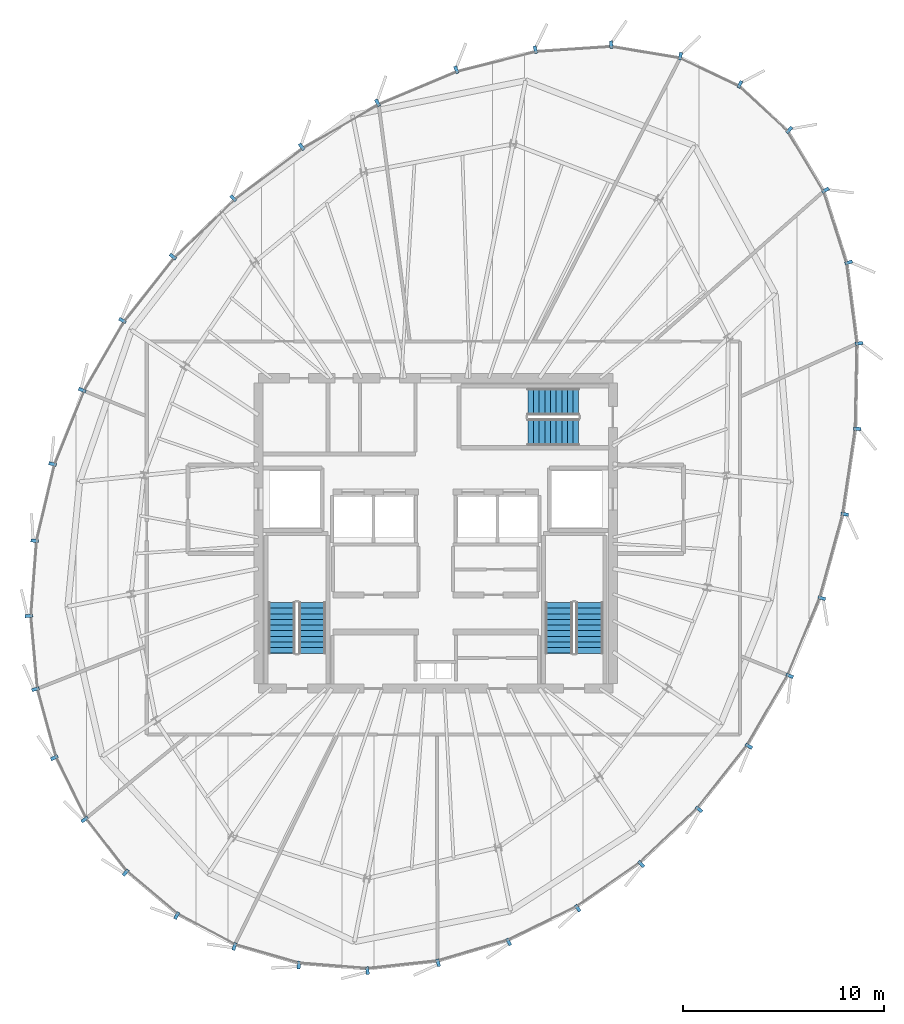
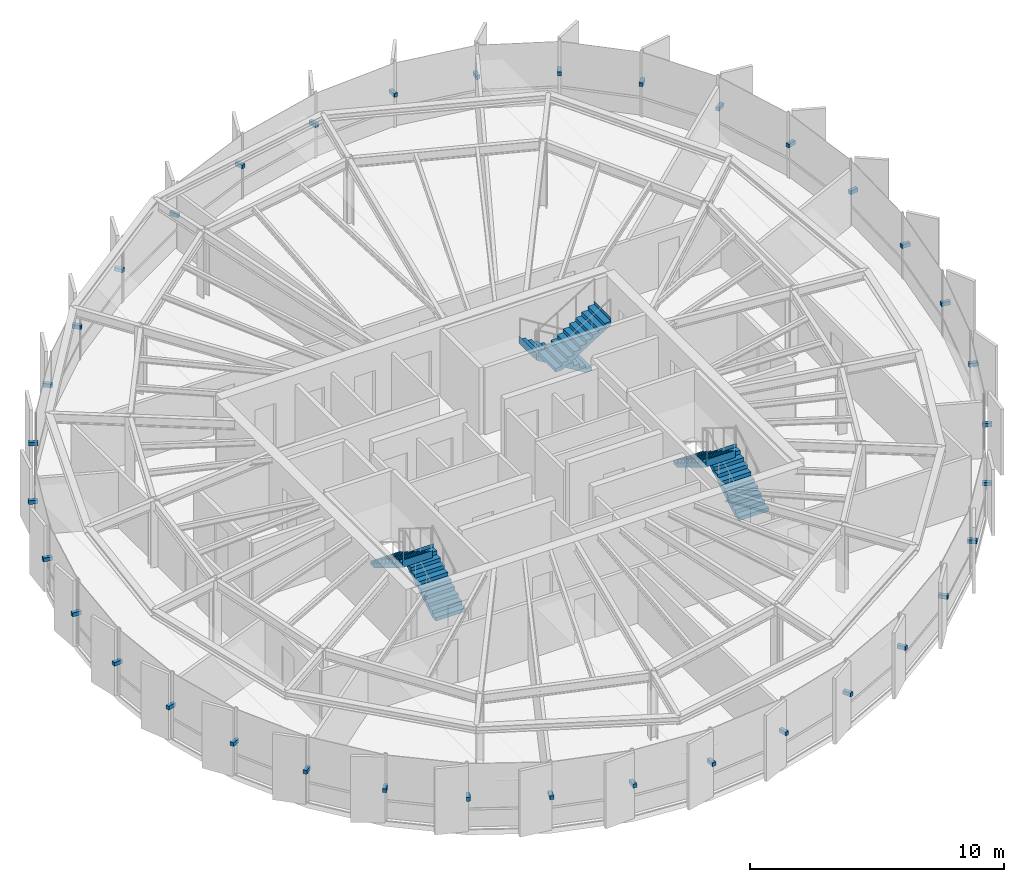
# One storey, part 30 of 34: 36 discrete accessories, 6 stair flights, 3 elements without a shape of their own.
"""IFC4 building model written with IfcOpenShell, lengths in metres."""

from ifc_helpers import new_model, si_unit, direction, frame, origin, origin_2d, place, context, subcontext, project, spatial, polyline, rectangle, outline, extrude, source, transform, mapped, material, type_object, element, aggregate, save


model = new_model("IFC4")

# Units and contexts
model_context = context("Model", 3, precision=1e-05, world=origin(), true_north=direction((0.0, 1.0)))
body_context = subcontext(model_context, "Body", "Model", "MODEL_VIEW")
ifc_project = project(units=[si_unit("LENGTHUNIT", "METRE"), si_unit("AREAUNIT", "SQUARE_METRE"), si_unit("VOLUMEUNIT", "CUBIC_METRE"), si_unit("PLANEANGLEUNIT", "RADIAN"), si_unit("MASSUNIT", "GRAM", prefix="KILO"), si_unit("THERMODYNAMICTEMPERATUREUNIT", "KELVIN")], contexts=[model_context])

# Site, building, storey
site_placement = place(None, origin())
site = spatial("IfcSite", under=ifc_project, at=site_placement, CompositionType="ELEMENT")
building_placement = place(site_placement, origin())
building = spatial("IfcBuilding", under=site, at=building_placement, Name="Kethvar Cultural Tower", CompositionType="ELEMENT")
storey_placement = place(building_placement, frame((0.0, 0.0, 259.449951171875)))
storey = spatial("IfcBuildingStorey", under=building, at=storey_placement, Name="L68", CompositionType="ELEMENT", Elevation=259.449951171875)

# Stair, stair flights
ifc_material_1 = material(Name="Concrete C40/50", Category="concrete")
stair_type = type_object("IfcStairType", Name="ST-DOGLEG-135", PredefinedType="HALF_TURN_STAIR", material=ifc_material_1)
stair_1_placement = place(storey_placement, origin())
stair_1 = element("IfcStair", 1, at=stair_1_placement, inside=storey, type_object=stair_type, Name="L68 Core Exit Stair 1", PredefinedType="HALF_TURN_STAIR")
stair_flight_type = type_object("IfcStairFlightType", Name="FL-STRAIGHT-135", PredefinedType="STRAIGHT", material=ifc_material_1)
stair_flight_1_placement = place(storey_placement, frame((40.675048828125, 21.85009765625, 0.0), z_axis=(0.0, 0.0, 1.0), x_axis=(0.0, 1.0, 0.0)))
stair_flight_1 = element("IfcStairFlight", 2, at=stair_flight_1_placement, type_object=stair_flight_type, Name="ST-01 flight 1", NumberOfRisers=10, NumberOfTreads=9, PredefinedType="STRAIGHT", RiserHeight=0.1725, TreadLength=0.28, context=body_context, shape_type="SweptSolid", body=[
    extrude(outline(polyline([(-0.0009765625, -0.0009765625), (-0.0009765625, 0.172607421875), (0.280029296875, 0.172607421875), (0.280029296875, 0.344970703125), (0.56005859375, 0.344970703125), (0.56005859375, 0.517578125), (0.840087890625, 0.517578125), (0.840087890625, 0.68994140625), (1.1201171875, 0.68994140625), (1.1201171875, 0.862548828125), (1.39990234375, 0.862548828125), (1.39990234375, 1.034912109375), (1.679931640625, 1.034912109375), (1.679931640625, 1.20751953125), (1.9599609375, 1.20751953125), (1.9599609375, 1.3798828125), (2.239990234375, 1.3798828125), (2.239990234375, 1.552490234375), (2.52001953125, 1.552490234375), (2.52001953125, 1.72509765625), (2.52099609375, 1.72509765625), (2.52099609375, 1.37646484375), (0.285888671875, 0.0), (0.0, -0.0009765625), (-0.0009765625, -0.0009765625)])), frame((0.0, 0.675048828125, 0.0), z_axis=(0.0, -1.0, 0.0), x_axis=(1.0, 0.0, 0.0)), (0.0, 0.0, 1.0), 1.35009765625),
])
stair_flight_2_placement = place(storey_placement, frame((39.1650390625, 24.3701171875, 1.72509765625), z_axis=(0.0, 0.0, 1.0), x_axis=(0.0, -1.0, 0.0)))
stair_flight_2 = element("IfcStairFlight", 3, at=stair_flight_2_placement, type_object=stair_flight_type, Name="ST-01 flight 2", NumberOfRisers=10, NumberOfTreads=9, PredefinedType="STRAIGHT", RiserHeight=0.1725, TreadLength=0.28, context=body_context, shape_type="SweptSolid", body=[
    extrude(outline(polyline([(-0.0009765625, -0.0009765625), (-0.0009765625, 0.172607421875), (0.280029296875, 0.172607421875), (0.280029296875, 0.344970703125), (0.56005859375, 0.344970703125), (0.56005859375, 0.517578125), (0.840087890625, 0.517578125), (0.840087890625, 0.68994140625), (1.1201171875, 0.68994140625), (1.1201171875, 0.862548828125), (1.39990234375, 0.862548828125), (1.39990234375, 1.034912109375), (1.679931640625, 1.034912109375), (1.679931640625, 1.20751953125), (1.9599609375, 1.20751953125), (1.9599609375, 1.3798828125), (2.239990234375, 1.3798828125), (2.239990234375, 1.552490234375), (2.52001953125, 1.552490234375), (2.52001953125, 1.72509765625), (2.52099609375, 1.72509765625), (2.52099609375, 1.37646484375), (0.285888671875, 0.0), (0.0, -0.0009765625), (-0.0009765625, -0.0009765625)])), frame((0.0, 0.675048828125, 0.0), z_axis=(0.0, -1.0, 0.0), x_axis=(1.0, 0.0, 0.0)), (0.0, 0.0, 1.0), 1.35009765625),
])
aggregate(stair_1, [stair_flight_1, stair_flight_2])

stair_2_placement = place(storey_placement, origin())
stair_2 = element("IfcStair", 4, at=stair_2_placement, inside=storey, type_object=stair_type, Name="L68 Core Exit Stair 2", PredefinedType="HALF_TURN_STAIR")
stair_flight_3_placement = place(storey_placement, frame((54.43505859375, 21.85009765625, 0.0), z_axis=(0.0, 0.0, 1.0), x_axis=(0.0, 1.0, 0.0)))
stair_flight_3 = element("IfcStairFlight", 5, at=stair_flight_3_placement, type_object=stair_flight_type, Name="ST-02 flight 1", NumberOfRisers=10, NumberOfTreads=9, PredefinedType="STRAIGHT", RiserHeight=0.1725, TreadLength=0.28, context=body_context, shape_type="SweptSolid", body=[
    extrude(outline(polyline([(-0.0009765625, -0.0009765625), (-0.0009765625, 0.172607421875), (0.280029296875, 0.172607421875), (0.280029296875, 0.344970703125), (0.56005859375, 0.344970703125), (0.56005859375, 0.517578125), (0.840087890625, 0.517578125), (0.840087890625, 0.68994140625), (1.1201171875, 0.68994140625), (1.1201171875, 0.862548828125), (1.39990234375, 0.862548828125), (1.39990234375, 1.034912109375), (1.679931640625, 1.034912109375), (1.679931640625, 1.20751953125), (1.9599609375, 1.20751953125), (1.9599609375, 1.3798828125), (2.239990234375, 1.3798828125), (2.239990234375, 1.552490234375), (2.52001953125, 1.552490234375), (2.52001953125, 1.72509765625), (2.52099609375, 1.72509765625), (2.52099609375, 1.37646484375), (0.285888671875, 0.0), (0.0, -0.0009765625), (-0.0009765625, -0.0009765625)])), frame((0.0, 0.675048828125, 0.0), z_axis=(0.0, -1.0, 0.0), x_axis=(1.0, 0.0, 0.0)), (0.0, 0.0, 1.0), 1.35009765625),
])
stair_flight_4_placement = place(storey_placement, frame((52.925048828125, 24.3701171875, 1.72509765625), z_axis=(0.0, 0.0, 1.0), x_axis=(0.0, -1.0, 0.0)))
stair_flight_4 = element("IfcStairFlight", 6, at=stair_flight_4_placement, type_object=stair_flight_type, Name="ST-02 flight 2", NumberOfRisers=10, NumberOfTreads=9, PredefinedType="STRAIGHT", RiserHeight=0.1725, TreadLength=0.28, context=body_context, shape_type="SweptSolid", body=[
    extrude(outline(polyline([(-0.0009765625, -0.0009765625), (-0.0009765625, 0.172607421875), (0.280029296875, 0.172607421875), (0.280029296875, 0.344970703125), (0.56005859375, 0.344970703125), (0.56005859375, 0.517578125), (0.840087890625, 0.517578125), (0.840087890625, 0.68994140625), (1.1201171875, 0.68994140625), (1.1201171875, 0.862548828125), (1.39990234375, 0.862548828125), (1.39990234375, 1.034912109375), (1.679931640625, 1.034912109375), (1.679931640625, 1.20751953125), (1.9599609375, 1.20751953125), (1.9599609375, 1.3798828125), (2.239990234375, 1.3798828125), (2.239990234375, 1.552490234375), (2.52001953125, 1.552490234375), (2.52001953125, 1.72509765625), (2.52099609375, 1.72509765625), (2.52099609375, 1.37646484375), (0.285888671875, 0.0), (0.0, -0.0009765625), (-0.0009765625, -0.0009765625)])), frame((0.0, 0.675048828125, 0.0), z_axis=(0.0, -1.0, 0.0), x_axis=(1.0, 0.0, 0.0)), (0.0, 0.0, 1.0), 1.35009765625),
])
aggregate(stair_2, [stair_flight_3, stair_flight_4])

stair_3_placement = place(storey_placement, origin())
stair_3 = element("IfcStair", 7, at=stair_3_placement, inside=storey, type_object=stair_type, Name="L68 Core Exit Stair 3", PredefinedType="HALF_TURN_STAIR")
stair_flight_5_placement = place(storey_placement, frame((53.89990234375, 34.3349609375, 0.0), z_axis=(0.0, 0.0, 1.0), x_axis=(-1.0, 0.0, 0.0)))
stair_flight_5 = element("IfcStairFlight", 8, at=stair_flight_5_placement, type_object=stair_flight_type, Name="ST-03 flight 1", NumberOfRisers=10, NumberOfTreads=9, PredefinedType="STRAIGHT", RiserHeight=0.1725, TreadLength=0.28, context=body_context, shape_type="SweptSolid", body=[
    extrude(outline(polyline([(-0.0009765625, -0.0009765625), (-0.0009765625, 0.172607421875), (0.280029296875, 0.172607421875), (0.280029296875, 0.344970703125), (0.56005859375, 0.344970703125), (0.56005859375, 0.517578125), (0.840087890625, 0.517578125), (0.840087890625, 0.68994140625), (1.1201171875, 0.68994140625), (1.1201171875, 0.862548828125), (1.39990234375, 0.862548828125), (1.39990234375, 1.034912109375), (1.679931640625, 1.034912109375), (1.679931640625, 1.20751953125), (1.9599609375, 1.20751953125), (1.9599609375, 1.3798828125), (2.239990234375, 1.3798828125), (2.239990234375, 1.552490234375), (2.52001953125, 1.552490234375), (2.52001953125, 1.72509765625), (2.52099609375, 1.72509765625), (2.52099609375, 1.37646484375), (0.285888671875, 0.0), (0.0, -0.0009765625), (-0.0009765625, -0.0009765625)])), frame((0.0, 0.675048828125, 0.0), z_axis=(0.0, -1.0, 0.0), x_axis=(1.0, 0.0, 0.0)), (0.0, 0.0, 1.0), 1.35009765625),
])
stair_flight_6_placement = place(storey_placement, frame((51.3798828125, 32.824951171875, 1.72509765625), z_axis=(0.0, 0.0, 1.0), x_axis=(1.0, 0.0, 0.0)))
stair_flight_6 = element("IfcStairFlight", 9, at=stair_flight_6_placement, type_object=stair_flight_type, Name="ST-03 flight 2", NumberOfRisers=10, NumberOfTreads=9, PredefinedType="STRAIGHT", RiserHeight=0.1725, TreadLength=0.28, context=body_context, shape_type="SweptSolid", body=[
    extrude(outline(polyline([(-0.0009765625, -0.0009765625), (-0.0009765625, 0.172607421875), (0.280029296875, 0.172607421875), (0.280029296875, 0.344970703125), (0.56005859375, 0.344970703125), (0.56005859375, 0.517578125), (0.840087890625, 0.517578125), (0.840087890625, 0.68994140625), (1.1201171875, 0.68994140625), (1.1201171875, 0.862548828125), (1.39990234375, 0.862548828125), (1.39990234375, 1.034912109375), (1.679931640625, 1.034912109375), (1.679931640625, 1.20751953125), (1.9599609375, 1.20751953125), (1.9599609375, 1.3798828125), (2.239990234375, 1.3798828125), (2.239990234375, 1.552490234375), (2.52001953125, 1.552490234375), (2.52001953125, 1.72509765625), (2.52099609375, 1.72509765625), (2.52099609375, 1.37646484375), (0.285888671875, 0.0), (0.0, -0.0009765625), (-0.0009765625, -0.0009765625)])), frame((0.0, 0.675048828125, 0.0), z_axis=(0.0, -1.0, 0.0), x_axis=(1.0, 0.0, 0.0)), (0.0, 0.0, 1.0), 1.35009765625),
])
aggregate(stair_3, [stair_flight_5, stair_flight_6])

# Discrete accessories
ifc_material_2 = material(Name="Steel S355J2", Category="steel")
discrete_accessory_type = type_object("IfcDiscreteAccessoryType", Name="Steel Fin Bracket BRK-01", PredefinedType="BRACKET", material=ifc_material_2)
shared_shape = source(origin(), body_context, "Body", "SweptSolid", [
    extrude(rectangle(XDim=0.3798828125, YDim=0.159912109375, at=origin_2d()), origin(), (0.0, 0.0, 1.0), 0.179931640625),
])
for number, where, z_axis, x_axis, name in (
    (10, (61.8994140625, 50.08349609375, 1.51513671875), (0.0, 0.0, 1.0), (0.4306686211, 0.902510132242, 0.0), "L68 Terracotta Fin Bracket 1.1"),
    (11, (58.950927734375, 51.489990234375, 1.51513671875), (0.0, 0.0, 1.0), (0.163842507806, 0.9864865091, 0.0), "L68 Terracotta Fin Bracket 1.2"),
    (12, (55.5126953125, 52.060546875, 1.51513671875), (0.0, 0.0, 1.0), (-0.066622194773, 0.997778273548, 0.0), "L68 Terracotta Fin Bracket 1.3"),
    (13, (51.75244140625, 51.809326171875, 1.51513671875), (0.0, 0.0, 1.0), (-0.246491603437, 0.969144926951, 0.0), "L68 Terracotta Fin Bracket 1.4"),
    (14, (47.830810546875, 50.81201171875, 1.51513671875), (0.0, 0.0, 1.0), (-0.38622804535, 0.922403326634, 0.0), "L68 Terracotta Fin Bracket 1.5"),
    (15, (43.91748046875, 49.173583984375, 1.51513671875), (0.0, 0.0, 1.0), (-0.500453381281, 0.865763485696, 0.0), "L68 Terracotta Fin Bracket 1.6"),
    (16, (40.148193359375, 46.989990234375, 1.51513671875), (0.0, 0.0, 1.0), (-0.601117853128, 0.799160388565, 0.0), "L68 Terracotta Fin Bracket 2.1"),
    (17, (36.75341796875, 44.43603515625, 1.51513671875), (0.0, 0.0, 1.0), (-0.695536691165, 0.718490578396, 0.0), "L68 Terracotta Fin Bracket 2.2"),
    (18, (33.757568359375, 41.535888671875, 1.51513671875), (0.0, 0.0, 1.0), (-0.785316930881, 0.61909394931, 0.0), "L68 Terracotta Fin Bracket 2.3"),
    (19, (31.256103515625, 38.36279296875, 1.51513671875), (0.0, 0.0, 1.0), (-0.86515142057, 0.501510737159, 0.0), "L68 Terracotta Fin Bracket 2.4"),
    (20, (29.2548828125, 34.910400390625, 1.51513671875), (0.0, 0.0, 1.0), (-0.928420996825, 0.371529881241, 0.0), "L68 Terracotta Fin Bracket 2.5"),
    (21, (27.787109375, 31.24169921875, 1.51513671875), (0.0, 0.0, 1.0), (-0.973259115993, 0.229710019669, 0.0), "L68 Terracotta Fin Bracket 2.6"),
    (22, (26.893798828125, 27.43310546875, 1.51513671875), (0.0, 0.0, 1.0), (-0.997132545495, 0.075674875051, 0.0), "L68 Terracotta Fin Bracket 3.1"),
    (23, (26.61083984375, 23.70556640625, 1.51513671875), (0.0, 0.0, 1.0), (-0.99597876276, -0.08958964299, 0.0), "L68 Terracotta Fin Bracket 3.2"),
    (24, (26.938720703125, 20.066650390625, 1.51513671875), (0.0, 0.0, 1.0), (-0.964557418458, -0.263873049965, 0.0), "L68 Terracotta Fin Bracket 3.3"),
    (25, (27.8701171875, 16.66259765625, 1.51513671875), (0.0, 0.0, 1.0), (-0.897489418593, -0.441035988909, 0.0), "L68 Terracotta Fin Bracket 3.4"),
    (26, (29.37646484375, 13.59716796875, 1.51513671875), (0.0, 0.0, 1.0), (-0.791223532967, -0.611527040186, 0.0), "L68 Terracotta Fin Bracket 3.5"),
    (27, (31.41259765625, 10.962890625, 1.51513671875), (0.0, 0.0, 1.0), (-0.646656658925, -0.762781204191, 0.0), "L68 Terracotta Fin Bracket 3.6"),
    (28, (33.947998046875, 8.82373046875, 1.51513671875), (0.0, 0.0, 1.0), (-0.471165834227, -0.882044645501, 0.0), "L68 Terracotta Fin Bracket 4.1"),
    (29, (36.811767578125, 7.294189453125, 1.51513671875), (0.0, 0.0, 1.0), (-0.277314653302, -0.960779154158, 0.0), "L68 Terracotta Fin Bracket 4.2"),
    (30, (40.010498046875, 6.37109375, 1.51513671875), (0.0, 0.0, 1.0), (-0.079677001159, -0.996820733877, 0.0), "L68 Terracotta Fin Bracket 4.3"),
    (31, (43.415283203125, 6.099365234375, 1.51513671875), (0.0, 0.0, 1.0), (0.109734311091, -0.993960955455, 0.0), "L68 Terracotta Fin Bracket 4.4"),
    (32, (46.923095703125, 6.48681640625, 1.51513671875), (0.0, 0.0, 1.0), (0.283345893093, -0.959017781309, 0.0), "L68 Terracotta Fin Bracket 4.5"),
    (33, (50.4267578125, 7.52197265625, 1.51513671875), (0.0, 0.0, 1.0), (0.437429691673, -0.899252614588, 0.0), "L68 Terracotta Fin Bracket 4.6"),
    (34, (53.849609375, 9.193603515625, 1.51513671875), (0.0, 0.0, 1.0), (0.571859551582, -0.820351542489, 0.0), "L68 Terracotta Fin Bracket 5.1"),
    (35, (57.00048828125, 11.39013671875, 1.51513671875), (0.0, 0.0, 1.0), (0.687214311542, -0.726454740512, 0.0), "L68 Terracotta Fin Bracket 5.2"),
    (36, (59.87060546875, 14.105712890625, 1.51513671875), (0.0, 0.0, 1.0), (0.784776370533, -0.619779031795, 0.0), "L68 Terracotta Fin Bracket 5.3"),
    (37, (62.343994140625, 17.2373046875, 1.51513671875), (0.0, 0.0, 1.0), (0.86471344052, -0.502265533143, 0.0), "L68 Terracotta Fin Bracket 5.4"),
    (38, (64.373046875, 20.731201171875, 1.51513671875), (0.0, 0.0, 1.0), (0.924079778435, -0.382199637738, 0.0), "L68 Terracotta Fin Bracket 5.5"),
    (39, (65.966796875, 24.584228515625, 1.51513671875), (0.0, 0.0, 1.0), (0.964326778534, -0.264714684522, 0.0), "L68 Terracotta Fin Bracket 5.6"),
    (40, (67.10595703125, 28.750732421875, 1.51513671875), (0.0, 0.0, 1.0), (0.989195708464, -0.146600990296, 0.0), "L68 Terracotta Fin Bracket 6.1"),
    (41, (67.73388671875, 32.9892578125, 1.51513671875), (0.0, 0.0, 1.0), (0.999812346308, -0.019371942867, 0.0), "L68 Terracotta Fin Bracket 6.2"),
    (42, (67.81640625, 37.23095703125, 1.51513671875), (0.0, 0.0, 1.0), (0.991827775753, 0.127583945876, 0.0), "L68 Terracotta Fin Bracket 6.3"),
    (43, (67.2998046875, 41.2451171875, 1.51513671875), (0.0, 0.0, 1.0), (0.952236042525, 0.30536293049, 0.0), "L68 Terracotta Fin Bracket 6.4"),
    (44, (66.148681640625, 44.833984375, 1.51513671875), (0.0, 0.0, 1.0), (0.85689750991, 0.515486816038, 0.0), "L68 Terracotta Fin Bracket 6.5"),
    (45, (64.3515625, 47.82080078125, 1.51513671875), (0.0, 0.0, 1.0), (0.680593005737, 0.732661695834, 0.0), "L68 Terracotta Fin Bracket 6.6"),
):
    element("IfcDiscreteAccessory", number, at=place(storey_placement, frame(where, z_axis=z_axis, x_axis=x_axis)), inside=storey, type_object=discrete_accessory_type, Name=name, PredefinedType="BRACKET", context=body_context, shape_type="MappedRepresentation", body=[
        mapped(shared_shape, transform((0.0, 0.0, 0.0), scale=1.0)),
    ])

save(model, "model.ifc")
